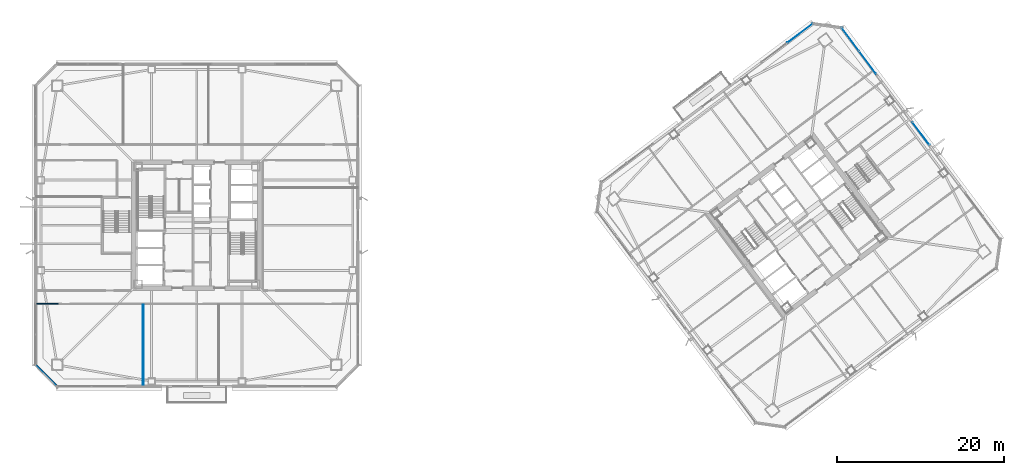
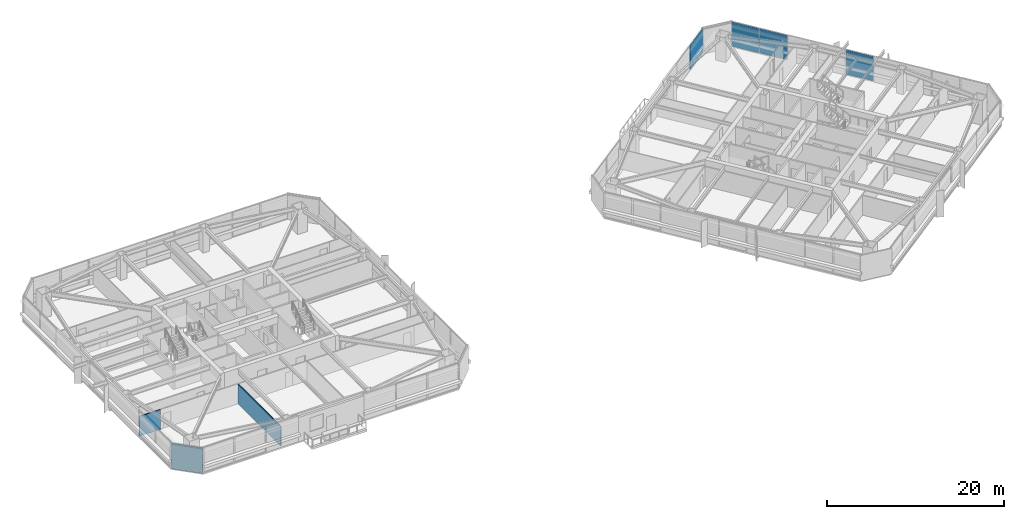
# One storey, part 35 of 48: 4 plates, 3 walls, 3 elements without a shape of their own.
"""IFC4 building model written with IfcOpenShell, lengths in metres."""

from ifc_helpers import new_model, si_unit, direction, frame, frame_2d, origin, origin_2d, place, context, subcontext, project, spatial, rectangle, extrude, material, layer, layer_set, type_object, element, aggregate, save


model = new_model("IFC4")

# Units and contexts
model_context = context("Model", 3, precision=1e-05, world=origin(), true_north=direction((0.0, 1.0)))
body_context = subcontext(model_context, "Body", "Model", "MODEL_VIEW")
ifc_project = project(units=[si_unit("LENGTHUNIT", "METRE"), si_unit("AREAUNIT", "SQUARE_METRE"), si_unit("VOLUMEUNIT", "CUBIC_METRE"), si_unit("PLANEANGLEUNIT", "RADIAN"), si_unit("MASSUNIT", "GRAM", prefix="KILO")], contexts=[model_context])

# Site, building, storey
site_placement = place(None, origin())
site = spatial("IfcSite", under=ifc_project, at=site_placement, CompositionType="ELEMENT")
building_placement = place(site_placement, origin())
building = spatial("IfcBuilding", under=site, at=building_placement, Name="Tashvorn Skyway Center", CompositionType="ELEMENT")
storey_placement = place(building_placement, frame((0.0, 0.0, 125.050048828125)))
storey = spatial("IfcBuildingStorey", under=building, at=storey_placement, Name="L33", CompositionType="ELEMENT", Elevation=125.050048828125)

# Curtain wall, plate
ifc_material_1 = material(Name="Thermally broken bronze-anodized aluminium 6063-T6", Category="aluminium")
curtain_wall_type = type_object("IfcCurtainWallType", Name="CW-CW-Z3", PredefinedType="NOTDEFINED", material=ifc_material_1)
curtain_wall_1_placement = place(storey_placement, origin())
curtain_wall_1 = element("IfcCurtainWall", 1, at=curtain_wall_1_placement, inside=storey, type_object=curtain_wall_type, Name="Tower 2 L33 North Curtain Wall R Glazing Group 1", PredefinedType="NOTDEFINED")
ifc_material_2 = material(Name="Low-E solar-control double insulating safety glass", Category="glass")
ifc_layer_1 = layer(ifc_material_2, 0.0400390625)
ifc_layer_set_1 = layer_set([ifc_layer_1], Name="Low-E solar-control double insulating safety glass")
plate_type = type_object("IfcPlateType", Name="CWP-CW-Z3", PredefinedType="CURTAIN_PANEL", material=ifc_layer_set_1)
plate_1_placement = place(storey_placement, frame((114.17041015625, 54.977783203125, 0.074951171875), z_axis=(0.0, 0.0, 1.0), x_axis=(0.800001547712, 0.599997936379, 0.0)))
plate_1 = element("IfcPlate", 2, at=plate_1_placement, type_object=plate_type, Name="CW-Z3 panel 2.1", PredefinedType="CURTAIN_PANEL", context=body_context, shape_type="SweptSolid", body=[
    extrude(rectangle(XDim=3.76416015625, YDim=0.0400390625, at=origin_2d()), origin(), (0.0, 0.0, 1.0), 3.39990234375),
])
aggregate(curtain_wall_1, [plate_1])

# Curtain wall, plates
curtain_wall_2_placement = place(storey_placement, origin())
curtain_wall_2 = element("IfcCurtainWall", 3, at=curtain_wall_2_placement, inside=storey, type_object=curtain_wall_type, Name="Tower 2 L33 East Unitised Curtain Wall Glazing Group 1", PredefinedType="NOTDEFINED")
plate_2_placement = place(storey_placement, frame((120.166015625, 54.245361328125, 0.074951171875), z_axis=(0.0, 0.0, 1.0), x_axis=(0.600004533995, -0.799996599484, 0.0)))
plate_2 = element("IfcPlate", 4, at=plate_2_placement, type_object=plate_type, Name="CW-Z3 panel 1.1", PredefinedType="CURTAIN_PANEL", context=body_context, shape_type="SweptSolid", body=[
    extrude(rectangle(XDim=3.41650390625, YDim=0.0400390625, at=origin_2d()), origin(), (0.0, 0.0, 1.0), 3.39990234375),
])
plate_3_placement = place(storey_placement, frame((122.2607421875, 51.452392578125, 0.074951171875), z_axis=(0.0, 0.0, 1.0), x_axis=(0.600004533995, -0.799996599484, 0.0)))
plate_3 = element("IfcPlate", 5, at=plate_3_placement, type_object=plate_type, Name="CW-Z3 panel 2.1", PredefinedType="CURTAIN_PANEL", context=body_context, shape_type="SweptSolid", body=[
    extrude(rectangle(XDim=3.41650390625, YDim=0.0400390625, at=origin_2d()), origin(), (0.0, 0.0, 1.0), 3.39990234375),
])
aggregate(curtain_wall_2, [plate_2, plate_3])

# Curtain wall, plate
curtain_wall_3_placement = place(storey_placement, origin())
curtain_wall_3 = element("IfcCurtainWall", 6, at=curtain_wall_3_placement, inside=storey, type_object=curtain_wall_type, Name="Tower 2 L33 East Unitised Curtain Wall Glazing Group 2", PredefinedType="NOTDEFINED")
plate_4_placement = place(storey_placement, frame((128.6240234375, 42.968017578125, 0.074951171875), z_axis=(0.0, 0.0, 1.0), x_axis=(0.600000000002, -0.799999999998, 0.0)))
plate_4 = element("IfcPlate", 7, at=plate_4_placement, type_object=plate_type, Name="CW-Z3 panel 1.1", PredefinedType="CURTAIN_PANEL", context=body_context, shape_type="SweptSolid", body=[
    extrude(rectangle(XDim=3.37890625, YDim=0.0400390625, at=origin_2d()), origin(), (0.0, 0.0, 1.0), 3.39990234375),
])
aggregate(curtain_wall_3, [plate_4])

# Walls
ifc_material_3 = material(Name="Precast concrete C40/50", Category="concrete")
ifc_layer_2 = layer(ifc_material_3, 0.280029296875)
ifc_layer_set_2 = layer_set([ifc_layer_2], Name="Precast concrete C40/50")
wall_type_1 = type_object("IfcWallType", Name="WALL-EXT-280", PredefinedType="SOLIDWALL", material=ifc_layer_set_2)
wall_1_placement = place(storey_placement, frame((25.300048828125, 12.699951171875, 0.0), z_axis=(0.0, 0.0, 1.0), x_axis=(-0.707106781187, 0.707106781187, 0.0)))
element("IfcWall", 8, at=wall_1_placement, inside=storey, type_object=wall_type_1, Name="Tower 1 L33 SW Precast Chamfer Wall", PredefinedType="SOLIDWALL", context=body_context, shape_type="SweptSolid", body=[
    extrude(rectangle(XDim=3.677001953125, YDim=0.280029296875, at=frame_2d((1.83837890625, 0.0))), origin(), (0.0, 0.0, 1.0), 3.369873046875),
])
ifc_material_4 = material(Name="Gypsum board on cold-formed steel stud framing", Category="steel")
ifc_layer_3 = layer(ifc_material_4, 0.110107421875)
ifc_layer_set_3 = layer_set([ifc_layer_3], Name="Gypsum board on cold-formed steel stud framing")
wall_type_2 = type_object("IfcWallType", Name="WALL-PART-110", PredefinedType="PARTITIONING", material=ifc_layer_set_3)
wall_2_placement = place(storey_placement, frame((35.60009765625, 12.8701171875, 0.0), z_axis=(0.0, 0.0, 1.0), x_axis=(0.0, 1.0, 0.0)))
element("IfcWall", 9, at=wall_2_placement, inside=storey, type_object=wall_type_2, Name="Tower 1 L33 South Suite Partition 1", PredefinedType="PARTITIONING", context=body_context, shape_type="SweptSolid", body=[
    extrude(rectangle(XDim=9.64990234375, YDim=0.110107421875, at=frame_2d((4.824951171875, 0.0))), origin(), (0.0, 0.0, 1.0), 2.722900390625),
])
ifc_layer_4 = layer(ifc_material_4, 0.135009765625)
ifc_layer_set_4 = layer_set([ifc_layer_4], Name="Gypsum board on cold-formed steel stud framing")
wall_type_3 = type_object("IfcWallType", Name="WALL-PART-135", PredefinedType="PARTITIONING", material=ifc_layer_set_4)
wall_3_placement = place(storey_placement, frame((22.719970703125, 22.60009765625, 0.0), z_axis=(0.0, 0.0, 1.0), x_axis=(1.0, 0.0, 0.0)))
element("IfcWall", 10, at=wall_3_placement, inside=storey, type_object=wall_type_3, Name="Tower 1 L33 South-West Suite North Wall", PredefinedType="PARTITIONING", context=body_context, shape_type="SweptSolid", body=[
    extrude(rectangle(XDim=2.72998046875, YDim=0.135009765625, at=frame_2d((1.364990234375, 0.0))), origin(), (0.0, 0.0, 1.0), 2.722900390625),
])

save(model, "model.ifc")
